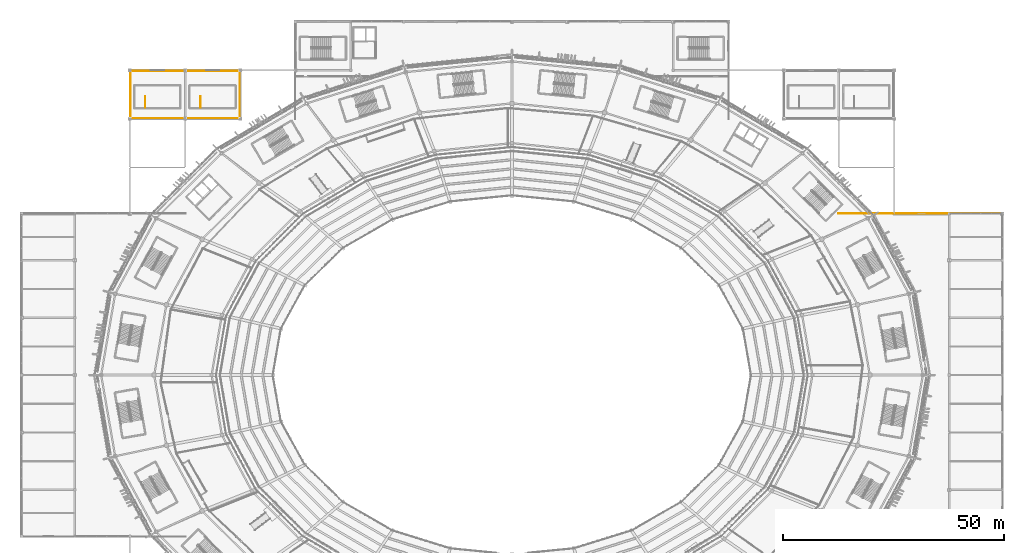
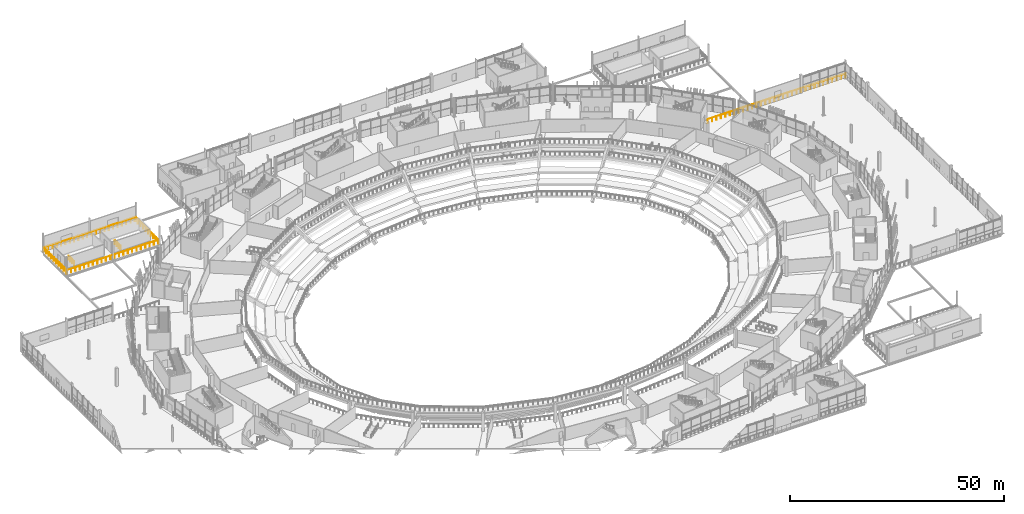
# One storey, part 171 of 178: 5 railings.
"""IFC4 building model written with IfcOpenShell, lengths in metres."""

from ifc_helpers import new_model, si_unit, direction, frame, origin, origin_2d, place, context, subcontext, project, spatial, rectangle, extrude, material, type_object, element, save


model = new_model("IFC4")

# Units and contexts
model_context = context("Model", 3, precision=1e-05, world=origin(), true_north=direction((0.0, 1.0)))
body_context = subcontext(model_context, "Body", "Model", "MODEL_VIEW")
ifc_project = project(units=[si_unit("LENGTHUNIT", "METRE"), si_unit("AREAUNIT", "SQUARE_METRE"), si_unit("VOLUMEUNIT", "CUBIC_METRE"), si_unit("PLANEANGLEUNIT", "RADIAN"), si_unit("MASSUNIT", "GRAM", prefix="KILO")], contexts=[model_context])

# Site, building, storey
site_placement = place(None, origin())
site = spatial("IfcSite", under=ifc_project, at=site_placement, CompositionType="ELEMENT")
building_placement = place(site_placement, origin())
building = spatial("IfcBuilding", under=site, at=building_placement, Name="Zlatoyarsky Gate Stadium", CompositionType="ELEMENT")
storey_placement = place(building_placement, frame((0.0, 0.0, 5.39990234375)))
storey = spatial("IfcBuildingStorey", under=building, at=storey_placement, Name="L01", CompositionType="ELEMENT", Elevation=5.39990234375)

# Railings
ifc_material_1 = material(Name="Powder-coated steel tubular guardrail", Category="steel")
railing_type_1 = type_object("IfcRailingType", Name="CONCOURSE SLAB EDGE GUARDRAIL 1200", PredefinedType="GUARDRAIL", material=ifc_material_1)
railing_1_placement = place(storey_placement, frame((24.64990234375, 138.14990234375, 0.0)))
element("IfcRailing", 1, at=railing_1_placement, inside=storey, type_object=railing_type_1, Name="V6_NW L01 portico perimeter guardrail A", PredefinedType="GUARDRAIL", context=body_context, shape_type="SweptSolid", body=[
    extrude(rectangle(XDim=0.048095703125, YDim=0.048095703125, at=origin_2d()), frame((0.0, 0.0, 1.17578125), z_axis=(1.0, 0.0, 0.0), x_axis=(0.0, 1.0, 0.0)), (0.0, 0.0, 1.0), 24.7001953125),
    extrude(rectangle(XDim=0.048095703125, YDim=0.048095703125, at=origin_2d()), frame((24.7001953125, 0.0, 1.17578125), z_axis=(0.0, 1.0, 0.0), x_axis=(-1.0, 0.0, 0.0)), (0.0, 0.0, 1.0), 10.7001953125),
    extrude(rectangle(XDim=0.0419921875, YDim=0.0419921875, at=origin_2d()), origin(), (0.0, 0.0, 1.0), 1.15185546875),
    extrude(rectangle(XDim=0.0419921875, YDim=0.0419921875, at=origin_2d()), frame((1.17626953125, 0.0, 0.0)), (0.0, 0.0, 1.0), 1.15185546875),
    extrude(rectangle(XDim=0.0419921875, YDim=0.0419921875, at=origin_2d()), frame((2.352294921875, 0.0, 0.0)), (0.0, 0.0, 1.0), 1.15185546875),
    extrude(rectangle(XDim=0.0419921875, YDim=0.0419921875, at=origin_2d()), frame((3.528564453125, 0.0, 0.0)), (0.0, 0.0, 1.0), 1.15185546875),
    extrude(rectangle(XDim=0.0419921875, YDim=0.0419921875, at=origin_2d()), frame((4.704833984375, 0.0, 0.0)), (0.0, 0.0, 1.0), 1.15185546875),
    extrude(rectangle(XDim=0.0419921875, YDim=0.0419921875, at=origin_2d()), frame((5.881103515625, 0.0, 0.0)), (0.0, 0.0, 1.0), 1.15185546875),
    extrude(rectangle(XDim=0.0419921875, YDim=0.0419921875, at=origin_2d()), frame((7.05712890625, 0.0, 0.0)), (0.0, 0.0, 1.0), 1.15185546875),
    extrude(rectangle(XDim=0.0419921875, YDim=0.0419921875, at=origin_2d()), frame((8.2333984375, 0.0, 0.0)), (0.0, 0.0, 1.0), 1.15185546875),
    extrude(rectangle(XDim=0.0419921875, YDim=0.0419921875, at=origin_2d()), frame((9.40966796875, 0.0, 0.0)), (0.0, 0.0, 1.0), 1.15185546875),
    extrude(rectangle(XDim=0.0419921875, YDim=0.0419921875, at=origin_2d()), frame((10.585693359375, 0.0, 0.0)), (0.0, 0.0, 1.0), 1.15185546875),
    extrude(rectangle(XDim=0.0419921875, YDim=0.0419921875, at=origin_2d()), frame((11.761962890625, 0.0, 0.0)), (0.0, 0.0, 1.0), 1.15185546875),
    extrude(rectangle(XDim=0.0419921875, YDim=0.0419921875, at=origin_2d()), frame((12.938232421875, 0.0, 0.0)), (0.0, 0.0, 1.0), 1.15185546875),
    extrude(rectangle(XDim=0.0419921875, YDim=0.0419921875, at=origin_2d()), frame((14.114501953125, 0.0, 0.0)), (0.0, 0.0, 1.0), 1.15185546875),
    extrude(rectangle(XDim=0.0419921875, YDim=0.0419921875, at=origin_2d()), frame((15.29052734375, 0.0, 0.0)), (0.0, 0.0, 1.0), 1.15185546875),
    extrude(rectangle(XDim=0.0419921875, YDim=0.0419921875, at=origin_2d()), frame((16.466796875, 0.0, 0.0)), (0.0, 0.0, 1.0), 1.15185546875),
    extrude(rectangle(XDim=0.0419921875, YDim=0.0419921875, at=origin_2d()), frame((17.64306640625, 0.0, 0.0)), (0.0, 0.0, 1.0), 1.15185546875),
    extrude(rectangle(XDim=0.0419921875, YDim=0.0419921875, at=origin_2d()), frame((18.819091796875, 0.0, 0.0)), (0.0, 0.0, 1.0), 1.15185546875),
    extrude(rectangle(XDim=0.0419921875, YDim=0.0419921875, at=origin_2d()), frame((19.995361328125, 0.0, 0.0)), (0.0, 0.0, 1.0), 1.15185546875),
    extrude(rectangle(XDim=0.0419921875, YDim=0.0419921875, at=origin_2d()), frame((21.171630859375, 0.0, 0.0)), (0.0, 0.0, 1.0), 1.15185546875),
    extrude(rectangle(XDim=0.0419921875, YDim=0.0419921875, at=origin_2d()), frame((22.347900390625, 0.0, 0.0)), (0.0, 0.0, 1.0), 1.15185546875),
    extrude(rectangle(XDim=0.0419921875, YDim=0.0419921875, at=origin_2d()), frame((23.52392578125, 0.0, 0.0)), (0.0, 0.0, 1.0), 1.15185546875),
    extrude(rectangle(XDim=0.0419921875, YDim=0.0419921875, at=origin_2d()), frame((24.7001953125, 0.0, 0.0)), (0.0, 0.0, 1.0), 1.15185546875),
    extrude(rectangle(XDim=0.0419921875, YDim=0.0419921875, at=origin_2d()), frame((24.7001953125, 1.18896484375, 0.0)), (0.0, 0.0, 1.0), 1.15185546875),
    extrude(rectangle(XDim=0.0419921875, YDim=0.0419921875, at=origin_2d()), frame((24.7001953125, 2.3779296875, 0.0)), (0.0, 0.0, 1.0), 1.15185546875),
    extrude(rectangle(XDim=0.0419921875, YDim=0.0419921875, at=origin_2d()), frame((24.7001953125, 3.566650390625, 0.0)), (0.0, 0.0, 1.0), 1.15185546875),
    extrude(rectangle(XDim=0.0419921875, YDim=0.0419921875, at=origin_2d()), frame((24.7001953125, 4.755615234375, 0.0)), (0.0, 0.0, 1.0), 1.15185546875),
    extrude(rectangle(XDim=0.0419921875, YDim=0.0419921875, at=origin_2d()), frame((24.7001953125, 5.944580078125, 0.0)), (0.0, 0.0, 1.0), 1.15185546875),
    extrude(rectangle(XDim=0.0419921875, YDim=0.0419921875, at=origin_2d()), frame((24.7001953125, 7.133544921875, 0.0)), (0.0, 0.0, 1.0), 1.15185546875),
    extrude(rectangle(XDim=0.0419921875, YDim=0.0419921875, at=origin_2d()), frame((24.7001953125, 8.322265625, 0.0)), (0.0, 0.0, 1.0), 1.15185546875),
    extrude(rectangle(XDim=0.0419921875, YDim=0.0419921875, at=origin_2d()), frame((24.7001953125, 9.51123046875, 0.0)), (0.0, 0.0, 1.0), 1.15185546875),
    extrude(rectangle(XDim=0.0419921875, YDim=0.0419921875, at=origin_2d()), frame((24.7001953125, 10.7001953125, 0.0)), (0.0, 0.0, 1.0), 1.15185546875),
])
railing_2_placement = place(storey_placement, frame((49.199951171875, 148.85009765625, 0.0)))
element("IfcRailing", 2, at=railing_2_placement, inside=storey, type_object=railing_type_1, Name="V6_NW L01 portico perimeter guardrail B", PredefinedType="GUARDRAIL", context=body_context, shape_type="SweptSolid", body=[
    extrude(rectangle(XDim=0.048095703125, YDim=0.048095703125, at=origin_2d()), frame((0.0, 0.0, 1.17578125), z_axis=(-1.0, 0.0, 0.0), x_axis=(0.0, -1.0, 0.0)), (0.0, 0.0, 1.0), 24.550048828125),
    extrude(rectangle(XDim=0.048095703125, YDim=0.048095703125, at=origin_2d()), frame((-24.550048828125, 0.0, 1.17578125), z_axis=(0.0, -1.0, 0.0), x_axis=(1.0, 0.0, 0.0)), (0.0, 0.0, 1.0), 10.550048828125),
    extrude(rectangle(XDim=0.0419921875, YDim=0.0419921875, at=origin_2d()), origin(), (0.0, 0.0, 1.0), 1.15185546875),
    extrude(rectangle(XDim=0.0419921875, YDim=0.0419921875, at=origin_2d()), frame((-1.1689453125, 0.0, 0.0)), (0.0, 0.0, 1.0), 1.15185546875),
    extrude(rectangle(XDim=0.0419921875, YDim=0.0419921875, at=origin_2d()), frame((-2.338134765625, 0.0, 0.0)), (0.0, 0.0, 1.0), 1.15185546875),
    extrude(rectangle(XDim=0.0419921875, YDim=0.0419921875, at=origin_2d()), frame((-3.507080078125, 0.0, 0.0)), (0.0, 0.0, 1.0), 1.15185546875),
    extrude(rectangle(XDim=0.0419921875, YDim=0.0419921875, at=origin_2d()), frame((-4.67626953125, 0.0, 0.0)), (0.0, 0.0, 1.0), 1.15185546875),
    extrude(rectangle(XDim=0.0419921875, YDim=0.0419921875, at=origin_2d()), frame((-5.84521484375, 0.0, 0.0)), (0.0, 0.0, 1.0), 1.15185546875),
    extrude(rectangle(XDim=0.0419921875, YDim=0.0419921875, at=origin_2d()), frame((-7.014404296875, 0.0, 0.0)), (0.0, 0.0, 1.0), 1.15185546875),
    extrude(rectangle(XDim=0.0419921875, YDim=0.0419921875, at=origin_2d()), frame((-8.183349609375, 0.0, 0.0)), (0.0, 0.0, 1.0), 1.15185546875),
    extrude(rectangle(XDim=0.0419921875, YDim=0.0419921875, at=origin_2d()), frame((-9.352294921875, 0.0, 0.0)), (0.0, 0.0, 1.0), 1.15185546875),
    extrude(rectangle(XDim=0.0419921875, YDim=0.0419921875, at=origin_2d()), frame((-10.521484375, 0.0, 0.0)), (0.0, 0.0, 1.0), 1.15185546875),
    extrude(rectangle(XDim=0.0419921875, YDim=0.0419921875, at=origin_2d()), frame((-11.6904296875, 0.0, 0.0)), (0.0, 0.0, 1.0), 1.15185546875),
    extrude(rectangle(XDim=0.0419921875, YDim=0.0419921875, at=origin_2d()), frame((-12.859619140625, 0.0, 0.0)), (0.0, 0.0, 1.0), 1.15185546875),
    extrude(rectangle(XDim=0.0419921875, YDim=0.0419921875, at=origin_2d()), frame((-14.028564453125, 0.0, 0.0)), (0.0, 0.0, 1.0), 1.15185546875),
    extrude(rectangle(XDim=0.0419921875, YDim=0.0419921875, at=origin_2d()), frame((-15.19775390625, 0.0, 0.0)), (0.0, 0.0, 1.0), 1.15185546875),
    extrude(rectangle(XDim=0.0419921875, YDim=0.0419921875, at=origin_2d()), frame((-16.36669921875, 0.0, 0.0)), (0.0, 0.0, 1.0), 1.15185546875),
    extrude(rectangle(XDim=0.0419921875, YDim=0.0419921875, at=origin_2d()), frame((-17.53564453125, 0.0, 0.0)), (0.0, 0.0, 1.0), 1.15185546875),
    extrude(rectangle(XDim=0.0419921875, YDim=0.0419921875, at=origin_2d()), frame((-18.704833984375, 0.0, 0.0)), (0.0, 0.0, 1.0), 1.15185546875),
    extrude(rectangle(XDim=0.0419921875, YDim=0.0419921875, at=origin_2d()), frame((-19.873779296875, 0.0, 0.0)), (0.0, 0.0, 1.0), 1.15185546875),
    extrude(rectangle(XDim=0.0419921875, YDim=0.0419921875, at=origin_2d()), frame((-21.04296875, 0.0, 0.0)), (0.0, 0.0, 1.0), 1.15185546875),
    extrude(rectangle(XDim=0.0419921875, YDim=0.0419921875, at=origin_2d()), frame((-22.2119140625, 0.0, 0.0)), (0.0, 0.0, 1.0), 1.15185546875),
    extrude(rectangle(XDim=0.0419921875, YDim=0.0419921875, at=origin_2d()), frame((-23.381103515625, 0.0, 0.0)), (0.0, 0.0, 1.0), 1.15185546875),
    extrude(rectangle(XDim=0.0419921875, YDim=0.0419921875, at=origin_2d()), frame((-24.550048828125, 0.0, 0.0)), (0.0, 0.0, 1.0), 1.15185546875),
    extrude(rectangle(XDim=0.0419921875, YDim=0.0419921875, at=origin_2d()), frame((-24.550048828125, -1.172119140625, 0.0)), (0.0, 0.0, 1.0), 1.15185546875),
    extrude(rectangle(XDim=0.0419921875, YDim=0.0419921875, at=origin_2d()), frame((-24.550048828125, -2.344482421875, 0.0)), (0.0, 0.0, 1.0), 1.15185546875),
    extrude(rectangle(XDim=0.0419921875, YDim=0.0419921875, at=origin_2d()), frame((-24.550048828125, -3.5166015625, 0.0)), (0.0, 0.0, 1.0), 1.15185546875),
    extrude(rectangle(XDim=0.0419921875, YDim=0.0419921875, at=origin_2d()), frame((-24.550048828125, -4.68896484375, 0.0)), (0.0, 0.0, 1.0), 1.15185546875),
    extrude(rectangle(XDim=0.0419921875, YDim=0.0419921875, at=origin_2d()), frame((-24.550048828125, -5.861083984375, 0.0)), (0.0, 0.0, 1.0), 1.15185546875),
    extrude(rectangle(XDim=0.0419921875, YDim=0.0419921875, at=origin_2d()), frame((-24.550048828125, -7.033447265625, 0.0)), (0.0, 0.0, 1.0), 1.15185546875),
    extrude(rectangle(XDim=0.0419921875, YDim=0.0419921875, at=origin_2d()), frame((-24.550048828125, -8.20556640625, 0.0)), (0.0, 0.0, 1.0), 1.15185546875),
    extrude(rectangle(XDim=0.0419921875, YDim=0.0419921875, at=origin_2d()), frame((-24.550048828125, -9.3779296875, 0.0)), (0.0, 0.0, 1.0), 1.15185546875),
    extrude(rectangle(XDim=0.0419921875, YDim=0.0419921875, at=origin_2d()), frame((-24.550048828125, -10.550048828125, 0.0)), (0.0, 0.0, 1.0), 1.15185546875),
])
railing_3_placement = place(storey_placement, frame((222.080078125, 116.580078125, 0.0)))
element("IfcRailing", 3, at=railing_3_placement, inside=storey, type_object=railing_type_1, Name="V5_EAST L01 N slab edge guardrail", PredefinedType="GUARDRAIL", context=body_context, shape_type="SweptSolid", body=[
    extrude(rectangle(XDim=0.048095703125, YDim=0.048095703125, at=origin_2d()), frame((0.0, 0.0, 1.17578125), z_axis=(-1.0, 0.0, 0.0), x_axis=(0.0, -1.0, 0.0)), (0.0, 0.0, 1.0), 37.16015625),
    extrude(rectangle(XDim=0.0419921875, YDim=0.0419921875, at=origin_2d()), origin(), (0.0, 0.0, 1.0), 1.15185546875),
    extrude(rectangle(XDim=0.0419921875, YDim=0.0419921875, at=origin_2d()), frame((-1.19873046875, 0.0, 0.0)), (0.0, 0.0, 1.0), 1.15185546875),
    extrude(rectangle(XDim=0.0419921875, YDim=0.0419921875, at=origin_2d()), frame((-2.3974609375, 0.0, 0.0)), (0.0, 0.0, 1.0), 1.15185546875),
    extrude(rectangle(XDim=0.0419921875, YDim=0.0419921875, at=origin_2d()), frame((-3.59619140625, 0.0, 0.0)), (0.0, 0.0, 1.0), 1.15185546875),
    extrude(rectangle(XDim=0.0419921875, YDim=0.0419921875, at=origin_2d()), frame((-4.794921875, 0.0, 0.0)), (0.0, 0.0, 1.0), 1.15185546875),
    extrude(rectangle(XDim=0.0419921875, YDim=0.0419921875, at=origin_2d()), frame((-5.99365234375, 0.0, 0.0)), (0.0, 0.0, 1.0), 1.15185546875),
    extrude(rectangle(XDim=0.0419921875, YDim=0.0419921875, at=origin_2d()), frame((-7.1923828125, 0.0, 0.0)), (0.0, 0.0, 1.0), 1.15185546875),
    extrude(rectangle(XDim=0.0419921875, YDim=0.0419921875, at=origin_2d()), frame((-8.39111328125, 0.0, 0.0)), (0.0, 0.0, 1.0), 1.15185546875),
    extrude(rectangle(XDim=0.0419921875, YDim=0.0419921875, at=origin_2d()), frame((-9.589599609375, 0.0, 0.0)), (0.0, 0.0, 1.0), 1.15185546875),
    extrude(rectangle(XDim=0.0419921875, YDim=0.0419921875, at=origin_2d()), frame((-10.788330078125, 0.0, 0.0)), (0.0, 0.0, 1.0), 1.15185546875),
    extrude(rectangle(XDim=0.0419921875, YDim=0.0419921875, at=origin_2d()), frame((-11.987060546875, 0.0, 0.0)), (0.0, 0.0, 1.0), 1.15185546875),
    extrude(rectangle(XDim=0.0419921875, YDim=0.0419921875, at=origin_2d()), frame((-13.185791015625, 0.0, 0.0)), (0.0, 0.0, 1.0), 1.15185546875),
    extrude(rectangle(XDim=0.0419921875, YDim=0.0419921875, at=origin_2d()), frame((-14.384521484375, 0.0, 0.0)), (0.0, 0.0, 1.0), 1.15185546875),
    extrude(rectangle(XDim=0.0419921875, YDim=0.0419921875, at=origin_2d()), frame((-15.583251953125, 0.0, 0.0)), (0.0, 0.0, 1.0), 1.15185546875),
    extrude(rectangle(XDim=0.0419921875, YDim=0.0419921875, at=origin_2d()), frame((-16.781982421875, 0.0, 0.0)), (0.0, 0.0, 1.0), 1.15185546875),
    extrude(rectangle(XDim=0.0419921875, YDim=0.0419921875, at=origin_2d()), frame((-17.980712890625, 0.0, 0.0)), (0.0, 0.0, 1.0), 1.15185546875),
    extrude(rectangle(XDim=0.0419921875, YDim=0.0419921875, at=origin_2d()), frame((-19.179443359375, 0.0, 0.0)), (0.0, 0.0, 1.0), 1.15185546875),
    extrude(rectangle(XDim=0.0419921875, YDim=0.0419921875, at=origin_2d()), frame((-20.378173828125, 0.0, 0.0)), (0.0, 0.0, 1.0), 1.15185546875),
    extrude(rectangle(XDim=0.0419921875, YDim=0.0419921875, at=origin_2d()), frame((-21.576904296875, 0.0, 0.0)), (0.0, 0.0, 1.0), 1.15185546875),
    extrude(rectangle(XDim=0.0419921875, YDim=0.0419921875, at=origin_2d()), frame((-22.775634765625, 0.0, 0.0)), (0.0, 0.0, 1.0), 1.15185546875),
    extrude(rectangle(XDim=0.0419921875, YDim=0.0419921875, at=origin_2d()), frame((-23.974365234375, 0.0, 0.0)), (0.0, 0.0, 1.0), 1.15185546875),
    extrude(rectangle(XDim=0.0419921875, YDim=0.0419921875, at=origin_2d()), frame((-25.173095703125, 0.0, 0.0)), (0.0, 0.0, 1.0), 1.15185546875),
    extrude(rectangle(XDim=0.0419921875, YDim=0.0419921875, at=origin_2d()), frame((-26.371826171875, 0.0, 0.0)), (0.0, 0.0, 1.0), 1.15185546875),
    extrude(rectangle(XDim=0.0419921875, YDim=0.0419921875, at=origin_2d()), frame((-27.570556640625, 0.0, 0.0)), (0.0, 0.0, 1.0), 1.15185546875),
    extrude(rectangle(XDim=0.0419921875, YDim=0.0419921875, at=origin_2d()), frame((-28.76904296875, 0.0, 0.0)), (0.0, 0.0, 1.0), 1.15185546875),
    extrude(rectangle(XDim=0.0419921875, YDim=0.0419921875, at=origin_2d()), frame((-29.9677734375, 0.0, 0.0)), (0.0, 0.0, 1.0), 1.15185546875),
    extrude(rectangle(XDim=0.0419921875, YDim=0.0419921875, at=origin_2d()), frame((-31.16650390625, 0.0, 0.0)), (0.0, 0.0, 1.0), 1.15185546875),
    extrude(rectangle(XDim=0.0419921875, YDim=0.0419921875, at=origin_2d()), frame((-32.365234375, 0.0, 0.0)), (0.0, 0.0, 1.0), 1.15185546875),
    extrude(rectangle(XDim=0.0419921875, YDim=0.0419921875, at=origin_2d()), frame((-33.56396484375, 0.0, 0.0)), (0.0, 0.0, 1.0), 1.15185546875),
    extrude(rectangle(XDim=0.0419921875, YDim=0.0419921875, at=origin_2d()), frame((-34.7626953125, 0.0, 0.0)), (0.0, 0.0, 1.0), 1.15185546875),
    extrude(rectangle(XDim=0.0419921875, YDim=0.0419921875, at=origin_2d()), frame((-35.96142578125, 0.0, 0.0)), (0.0, 0.0, 1.0), 1.15185546875),
    extrude(rectangle(XDim=0.0419921875, YDim=0.0419921875, at=origin_2d()), frame((-37.16015625, 0.0, 0.0)), (0.0, 0.0, 1.0), 1.15185546875),
])
ifc_material_2 = material(Name="Powder-coated steel stair guardrail", Category="steel")
railing_type_2 = type_object("IfcRailingType", Name="PAINTED STEEL STAIR WELL GUARDRAIL 1150", PredefinedType="GUARDRAIL", material=ifc_material_2)
for number, where, name in (
    (4, (28.0, 140.5, 0.0), "ST-25 L01 top well guard 1"),
    (5, (40.5, 140.5, 0.0), "ST-26 L01 top well guard 1"),
):
    element("IfcRailing", number, at=place(storey_placement, frame(where)), inside=storey, type_object=railing_type_2, Name=name, PredefinedType="GUARDRAIL", context=body_context, shape_type="SweptSolid", body=[
        extrude(rectangle(XDim=0.048095703125, YDim=0.048095703125, at=origin_2d()), frame((0.0, 0.0, 1.1259765625), z_axis=(0.0, 1.0, 0.0), x_axis=(-1.0, 0.0, 0.0)), (0.0, 0.0, 1.0), 2.60009765625),
        extrude(rectangle(XDim=0.0419921875, YDim=0.0419921875, at=origin_2d()), origin(), (0.0, 0.0, 1.0), 1.101806640625),
        extrude(rectangle(XDim=0.0419921875, YDim=0.0419921875, at=origin_2d()), frame((0.0, 0.86669921875, 0.0)), (0.0, 0.0, 1.0), 1.101806640625),
        extrude(rectangle(XDim=0.0419921875, YDim=0.0419921875, at=origin_2d()), frame((0.0, 1.7333984375, 0.0)), (0.0, 0.0, 1.0), 1.101806640625),
        extrude(rectangle(XDim=0.0419921875, YDim=0.0419921875, at=origin_2d()), frame((0.0, 2.60009765625, 0.0)), (0.0, 0.0, 1.0), 1.101806640625),
    ])

save(model, "model.ifc")
